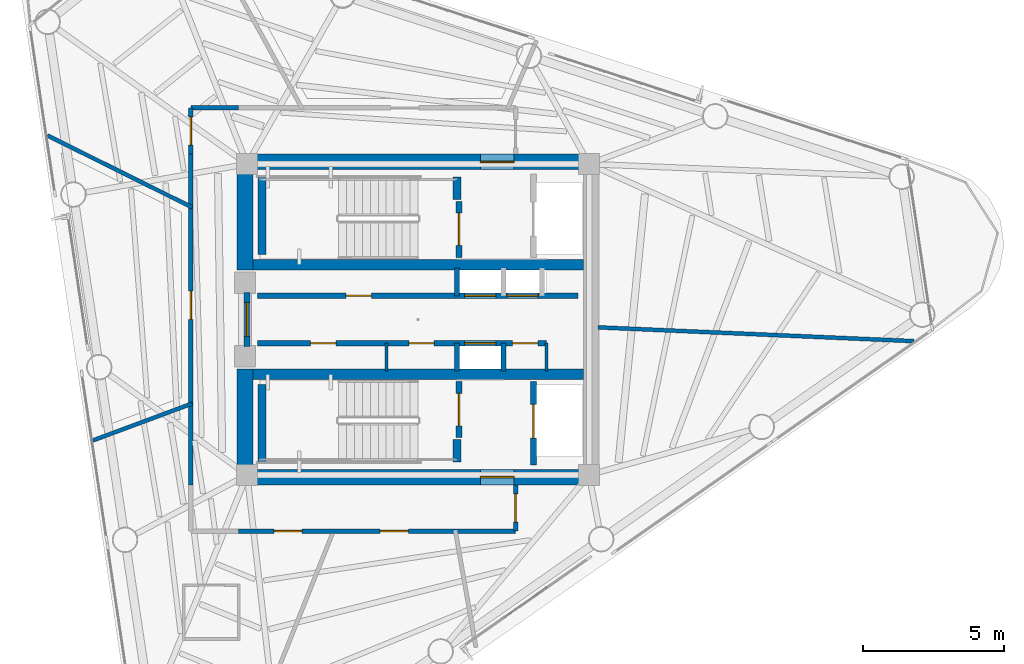
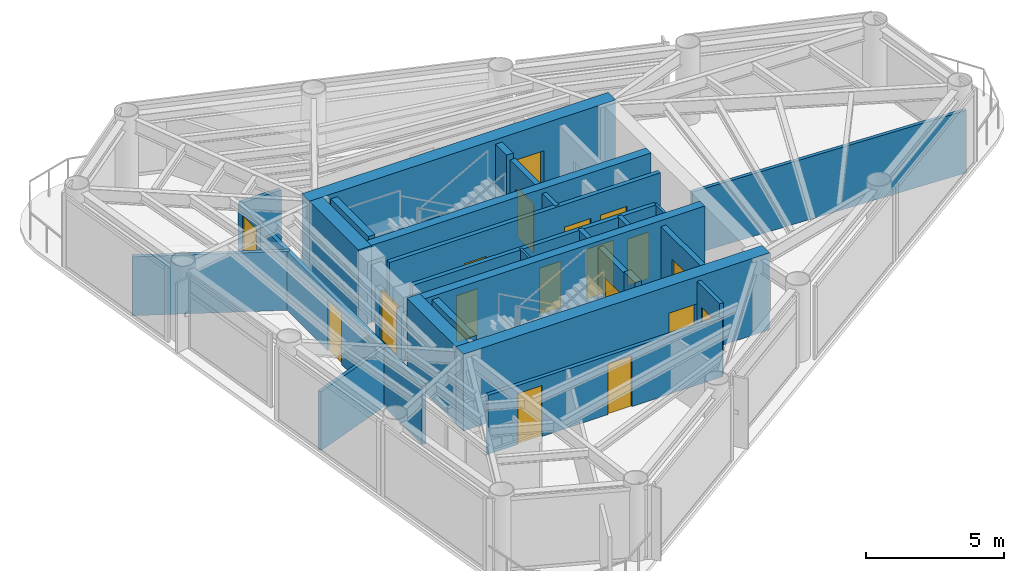
# One storey, part 5 of 9: 29 walls, 18 doors, 18 openings.
"""IFC4 building model written with IfcOpenShell, lengths in metres."""

from ifc_helpers import new_model, si_unit, direction, frame, frame_2d, origin, place, context, subcontext, project, spatial, rectangle, extrude, material, layer, layer_set, type_object, element, fill, save


model = new_model("IFC4")

# Units and contexts
model_context = context("Model", 3, precision=1e-05, world=origin(), true_north=direction((0.0, 1.0)))
body_context = subcontext(model_context, "Body", "Model", "MODEL_VIEW")
ifc_project = project(units=[si_unit("LENGTHUNIT", "METRE"), si_unit("AREAUNIT", "SQUARE_METRE"), si_unit("VOLUMEUNIT", "CUBIC_METRE"), si_unit("PLANEANGLEUNIT", "RADIAN"), si_unit("MASSUNIT", "GRAM", prefix="KILO")], contexts=[model_context])

# Site, building, storey
site_placement = place(None, origin())
site = spatial("IfcSite", under=ifc_project, at=site_placement, CompositionType="ELEMENT")
building_placement = place(site_placement, origin())
building = spatial("IfcBuilding", under=site, at=building_placement, Name="Yunling Apex Tower", CompositionType="ELEMENT")
storey_placement = place(building_placement, frame((0.0, 0.0, 267.75)))
storey = spatial("IfcBuildingStorey", under=building, at=storey_placement, Name="L65", CompositionType="ELEMENT", Elevation=267.75)

# Wall, opening, door
ifc_material_1 = material(Name="Concrete C40", Category="concrete")
ifc_layer_1 = layer(ifc_material_1, 0.550048828125)
ifc_layer_set_1 = layer_set([ifc_layer_1], Name="Concrete C40")
wall_type_1 = type_object("IfcWallType", Name="WL-COR-3", PredefinedType="SHEAR", material=ifc_layer_set_1)
wall_1_placement = place(storey_placement, frame((-6.39990234375, 5.574951171875, 0.0), z_axis=(0.0, 0.0, 1.0), x_axis=(1.0, 0.0, 0.0)))
wall_1 = element("IfcWall", 1, at=wall_1_placement, inside=storey, type_object=wall_type_1, Name="L65 North Core Shear Wall", PredefinedType="SHEAR", context=body_context, shape_type="SweptSolid", body=[
    extrude(rectangle(XDim=12.7998046875, YDim=0.550048828125, at=frame_2d((6.39990234375, 0.0))), origin(), (0.0, 0.0, 1.0), 3.39990234375),
])
opening_1_placement = place(wall_1_placement, frame((8.60009765625, 0.0, 0.0)))
opening_1 = element("IfcOpeningElement", 2, at=opening_1_placement, cuts=wall_1, Name="Opening DR-FFL-1", PredefinedType="OPENING", context=body_context, shape_type="SweptSolid", body=[
    extrude(rectangle(XDim=1.199951171875, YDim=2.199951171875, at=frame_2d((0.60009765625, 1.10009765625))), frame((0.0, 0.28515625, 0.0), z_axis=(0.0, -1.0, 0.0), x_axis=(1.0, 0.0, 0.0)), (0.0, 0.0, 1.0), 0.570068359375),
])
ifc_material_2 = material(Name="Steel Q355B", Category="steel")
door_type_1 = type_object("IfcDoorType", Name="DR-FFL-1", OperationType="NOTDEFINED", PredefinedType="DOOR", material=ifc_material_2)
door_1_placement = place(opening_1_placement, origin())
door_1 = element("IfcDoor", 3, at=door_1_placement, inside=storey, type_object=door_type_1, Name="L65 North Firefighting Lobby Door", OperationType="SINGLE_SWING_LEFT", OverallHeight=2.199951171875, OverallWidth=1.199951171875, PredefinedType="DOOR", context=body_context, shape_type="SweptSolid", body=[
    extrude(rectangle(XDim=1.199951171875, YDim=2.199951171875, at=frame_2d((0.60009765625, 1.10009765625))), frame((0.0, 0.02490234375, 0.0), z_axis=(0.0, -1.0, 0.0), x_axis=(1.0, 0.0, 0.0)), (0.0, 0.0, 1.0), 0.050048828125),
])
fill(opening_1, door_1)

wall_2_placement = place(storey_placement, frame((-6.39990234375, -5.574951171875, 0.0), z_axis=(0.0, 0.0, 1.0), x_axis=(1.0, 0.0, 0.0)))
wall_2 = element("IfcWall", 4, at=wall_2_placement, inside=storey, type_object=wall_type_1, Name="L65 South Core Shear Wall", PredefinedType="SHEAR", context=body_context, shape_type="SweptSolid", body=[
    extrude(rectangle(XDim=12.7998046875, YDim=0.550048828125, at=frame_2d((6.39990234375, 0.0))), origin(), (0.0, 0.0, 1.0), 3.39990234375),
])
opening_2_placement = place(wall_2_placement, frame((8.60009765625, 0.0, 0.0)))
opening_2 = element("IfcOpeningElement", 5, at=opening_2_placement, cuts=wall_2, Name="Opening DR-FFL-1", PredefinedType="OPENING", context=body_context, shape_type="SweptSolid", body=[
    extrude(rectangle(XDim=1.199951171875, YDim=2.199951171875, at=frame_2d((0.60009765625, 1.10009765625))), frame((0.0, 0.28515625, 0.0), z_axis=(0.0, -1.0, 0.0), x_axis=(1.0, 0.0, 0.0)), (0.0, 0.0, 1.0), 0.570068359375),
])
door_2_placement = place(opening_2_placement, origin())
door_2 = element("IfcDoor", 6, at=door_2_placement, inside=storey, type_object=door_type_1, Name="L65 South Firefighting Lobby Door", OperationType="SINGLE_SWING_RIGHT", OverallHeight=2.199951171875, OverallWidth=1.199951171875, PredefinedType="DOOR", context=body_context, shape_type="SweptSolid", body=[
    extrude(rectangle(XDim=1.199951171875, YDim=2.199951171875, at=frame_2d((0.60009765625, 1.10009765625))), frame((0.0, 0.02490234375, 0.0), z_axis=(0.0, -1.0, 0.0), x_axis=(1.0, 0.0, 0.0)), (0.0, 0.0, 1.0), 0.050048828125),
])
fill(opening_2, door_2)

# Walls
for number, where, z_axis, x_axis, name in (
    (7, (-6.125, -5.300048828125, 0.0), (0.0, 0.0, 1.0), (0.0, 1.0, 0.0), "L65 West-South Core Shear Wall"),
    (8, (-6.125, 1.75, 0.0), (0.0, 0.0, 1.0), (0.0, 1.0, 0.0), "L65 West-North Core Shear Wall"),
):
    element("IfcWall", number, at=place(storey_placement, frame(where, z_axis=z_axis, x_axis=x_axis)), inside=storey, type_object=wall_type_1, Name=name, PredefinedType="SHEAR", context=body_context, shape_type="SweptSolid", body=[
        extrude(rectangle(XDim=3.550048828125, YDim=0.550048828125, at=frame_2d((1.77490234375, 0.0))), origin(), (0.0, 0.0, 1.0), 3.39990234375),
    ])
ifc_layer_2 = layer(ifc_material_1, 0.360107421875)
ifc_layer_set_2 = layer_set([ifc_layer_2], Name="Concrete C40")
wall_type_2 = type_object("IfcWallType", Name="WL-COR-4", PredefinedType="SHEAR", material=ifc_layer_set_2)
for number, where, z_axis, x_axis, name in (
    (9, (-5.85009765625, 1.93994140625, 0.0), (0.0, 0.0, 1.0), (1.0, 0.0, 0.0), "L65 North Internal Core Shear Wall"),
    (10, (-5.85009765625, -1.93994140625, 0.0), (0.0, 0.0, 1.0), (1.0, 0.0, 0.0), "L65 South Internal Core Shear Wall"),
):
    element("IfcWall", number, at=place(storey_placement, frame(where, z_axis=z_axis, x_axis=x_axis)), inside=storey, type_object=wall_type_2, Name=name, PredefinedType="SHEAR", context=body_context, shape_type="SweptSolid", body=[
        extrude(rectangle(XDim=11.7001953125, YDim=0.360107421875, at=frame_2d((5.85009765625, 0.0))), origin(), (0.0, 0.0, 1.0), 3.39990234375),
    ])
ifc_layer_3 = layer(ifc_material_1, 0.280029296875)
ifc_layer_set_3 = layer_set([ifc_layer_3], Name="Concrete C40")
wall_type_3 = type_object("IfcWallType", Name="WL-COR-8", PredefinedType="SHEAR", material=ifc_layer_set_3)
wall_3_placement = place(storey_placement, frame((-5.52001953125, 2.300048828125, 0.0), z_axis=(0.0, 0.0, 1.0), x_axis=(0.0, 1.0, 0.0)))
element("IfcWall", 11, at=wall_3_placement, inside=storey, type_object=wall_type_3, Name="L65 ST-1 West Landing Bearing Wall", PredefinedType="SHEAR", context=body_context, shape_type="SweptSolid", body=[
    extrude(rectangle(XDim=2.75, YDim=0.280029296875, at=frame_2d((1.375, 0.0))), origin(), (0.0, 0.0, 1.0), 3.39990234375),
])
wall_4_placement = place(storey_placement, frame((1.3798828125, 4.25, 0.0), z_axis=(0.0, 0.0, 1.0), x_axis=(0.0, 1.0, 0.0)))
element("IfcWall", 12, at=wall_4_placement, inside=storey, type_object=wall_type_3, Name="L65 ST-1 East Landing Bearing Pier", PredefinedType="SHEAR", context=body_context, shape_type="SweptSolid", body=[
    extrude(rectangle(XDim=0.800048828125, YDim=0.280029296875, at=frame_2d((0.39990234375, 0.0))), origin(), (0.0, 0.0, 1.0), 3.39990234375),
])
wall_5_placement = place(storey_placement, frame((-5.52001953125, -5.050048828125, 0.0), z_axis=(0.0, 0.0, 1.0), x_axis=(0.0, 1.0, 0.0)))
element("IfcWall", 13, at=wall_5_placement, inside=storey, type_object=wall_type_3, Name="L65 ST-2 West Landing Bearing Wall", PredefinedType="SHEAR", context=body_context, shape_type="SweptSolid", body=[
    extrude(rectangle(XDim=2.75, YDim=0.280029296875, at=frame_2d((1.375, 0.0))), origin(), (0.0, 0.0, 1.0), 3.39990234375),
])
wall_6_placement = place(storey_placement, frame((1.3798828125, -5.050048828125, 0.0), z_axis=(0.0, 0.0, 1.0), x_axis=(0.0, 1.0, 0.0)))
element("IfcWall", 14, at=wall_6_placement, inside=storey, type_object=wall_type_3, Name="L65 ST-2 East Landing Bearing Pier", PredefinedType="SHEAR", context=body_context, shape_type="SweptSolid", body=[
    extrude(rectangle(XDim=0.800048828125, YDim=0.280029296875, at=frame_2d((0.39990234375, 0.0))), origin(), (0.0, 0.0, 1.0), 3.39990234375),
])

# Wall, opening, door
ifc_material_3 = material(Name="Gypsum board acoustic partition")
ifc_layer_4 = layer(ifc_material_3, 0.159912109375)
ifc_layer_set_4 = layer_set([ifc_layer_4], Name="Gypsum board acoustic partition")
wall_type_4 = type_object("IfcWallType", Name="WL-PRT-1", PredefinedType="PARTITIONING", material=ifc_layer_set_4)
wall_7_placement = place(storey_placement, frame((-8.0400390625, 5.85009765625, 0.0), z_axis=(0.0, 0.0, 1.0), x_axis=(0.0, 1.0, 0.0)))
wall_7 = element("IfcWall", 15, at=wall_7_placement, inside=storey, type_object=wall_type_4, Name="WL-CORR-L65-01", PredefinedType="PARTITIONING", context=body_context, shape_type="SweptSolid", body=[
    extrude(rectangle(XDim=1.639892578125, YDim=0.159912109375, at=frame_2d((0.81982421875, 0.0))), origin(), (0.0, 0.0, 1.0), 2.60498046875),
])
opening_3_placement = place(wall_7_placement, frame((0.320068359375, 0.0, 0.0)))
opening_3 = element("IfcOpeningElement", 16, at=opening_3_placement, cuts=wall_7, Name="Opening DR-OFF-1", PredefinedType="OPENING", context=body_context, shape_type="SweptSolid", body=[
    extrude(rectangle(XDim=1.0, YDim=2.25, at=frame_2d((0.5, 1.125))), frame((0.0, 0.08984375, 0.0), z_axis=(0.0, -1.0, 0.0), x_axis=(1.0, 0.0, 0.0)), (0.0, 0.0, 1.0), 0.179931640625),
])
ifc_material_4 = material(Name="Bronze anodised aluminium", Category="aluminium")
door_type_2 = type_object("IfcDoorType", Name="DR-OFF-1", OperationType="NOTDEFINED", PredefinedType="DOOR", material=ifc_material_4)
door_3_placement = place(opening_3_placement, origin())
door_3 = element("IfcDoor", 17, at=door_3_placement, inside=storey, type_object=door_type_2, Name="L65 Residents Music Salon Door", OperationType="SINGLE_SWING_RIGHT", OverallHeight=2.25, OverallWidth=1.0, PredefinedType="DOOR", context=body_context, shape_type="SweptSolid", body=[
    extrude(rectangle(XDim=1.0, YDim=2.25, at=frame_2d((0.5, 1.125))), frame((0.0, 0.02490234375, 0.0), z_axis=(0.0, -1.0, 0.0), x_axis=(1.0, 0.0, 0.0)), (0.0, 0.0, 1.0), 0.050048828125),
])
fill(opening_3, door_3)

# Wall
wall_8_placement = place(storey_placement, frame((-8.0400390625, 7.489990234375, 0.0), z_axis=(0.0, 0.0, 1.0), x_axis=(1.0, 0.0, 0.0)))
element("IfcWall", 18, at=wall_8_placement, inside=storey, type_object=wall_type_4, Name="WL-CORR-L65-02", PredefinedType="PARTITIONING", context=body_context, shape_type="SweptSolid", body=[
    extrude(rectangle(XDim=1.679931640625, YDim=0.159912109375, at=frame_2d((0.83984375, 0.0))), origin(), (0.0, 0.0, 1.0), 2.60498046875),
])

# Wall, opening, door
wall_9_placement = place(storey_placement, frame((3.449951171875, -5.85009765625, 0.0), z_axis=(0.0, 0.0, 1.0), x_axis=(0.0, -1.0, 0.0)))
wall_9 = element("IfcWall", 19, at=wall_9_placement, inside=storey, type_object=wall_type_4, Name="WL-CORR-L65-05", PredefinedType="PARTITIONING", context=body_context, shape_type="SweptSolid", body=[
    extrude(rectangle(XDim=1.639892578125, YDim=0.159912109375, at=frame_2d((0.81982421875, 0.0))), origin(), (0.0, 0.0, 1.0), 3.199951171875),
])
opening_4_placement = place(wall_9_placement, frame((0.320068359375, 0.0, 0.0)))
opening_4 = element("IfcOpeningElement", 20, at=opening_4_placement, cuts=wall_9, Name="Opening DR-OFF-1", PredefinedType="OPENING", context=body_context, shape_type="SweptSolid", body=[
    extrude(rectangle(XDim=1.0, YDim=2.25, at=frame_2d((0.5, 1.125))), frame((0.0, 0.08984375, 0.0), z_axis=(0.0, -1.0, 0.0), x_axis=(1.0, 0.0, 0.0)), (0.0, 0.0, 1.0), 0.179931640625),
])
door_4_placement = place(opening_4_placement, origin())
door_4 = element("IfcDoor", 21, at=door_4_placement, inside=storey, type_object=door_type_2, Name="L65 Residents Cinema Club Door", OperationType="SINGLE_SWING_LEFT", OverallHeight=2.25, OverallWidth=1.0, PredefinedType="DOOR", context=body_context, shape_type="SweptSolid", body=[
    extrude(rectangle(XDim=1.0, YDim=2.25, at=frame_2d((0.5, 1.125))), frame((0.0, 0.02490234375, 0.0), z_axis=(0.0, -1.0, 0.0), x_axis=(1.0, 0.0, 0.0)), (0.0, 0.0, 1.0), 0.050048828125),
])
fill(opening_4, door_4)

# Wall, openings, doors
wall_10_placement = place(storey_placement, frame((3.449951171875, -7.489990234375, 0.0), z_axis=(0.0, 0.0, 1.0), x_axis=(-1.0, 0.0, 0.0)))
wall_10 = element("IfcWall", 22, at=wall_10_placement, inside=storey, type_object=wall_type_4, Name="WL-CORR-L65-06", PredefinedType="PARTITIONING", context=body_context, shape_type="SweptSolid", body=[
    extrude(rectangle(XDim=9.81005859375, YDim=0.159912109375, at=frame_2d((4.905029296875, 0.0))), origin(), (0.0, 0.0, 1.0), 2.60498046875),
])
opening_5_placement = place(wall_10_placement, frame((3.794677734375, 0.0, 0.0)))
opening_5 = element("IfcOpeningElement", 23, at=opening_5_placement, cuts=wall_10, Name="Opening DR-OFF-1", PredefinedType="OPENING", context=body_context, shape_type="SweptSolid", body=[
    extrude(rectangle(XDim=1.0, YDim=2.25, at=frame_2d((0.5, 1.125))), frame((0.0, 0.08984375, 0.0), z_axis=(0.0, -1.0, 0.0), x_axis=(1.0, 0.0, 0.0)), (0.0, 0.0, 1.0), 0.179931640625),
])
opening_6_placement = place(wall_10_placement, frame((7.552978515625, 0.0, 0.0)))
opening_6 = element("IfcOpeningElement", 24, at=opening_6_placement, cuts=wall_10, Name="Opening DR-OFF-1", PredefinedType="OPENING", context=body_context, shape_type="SweptSolid", body=[
    extrude(rectangle(XDim=1.0, YDim=2.25, at=frame_2d((0.5, 1.125))), frame((0.0, 0.08984375, 0.0), z_axis=(0.0, -1.0, 0.0), x_axis=(1.0, 0.0, 0.0)), (0.0, 0.0, 1.0), 0.179931640625),
])
door_5_placement = place(opening_5_placement, origin())
door_5 = element("IfcDoor", 25, at=door_5_placement, inside=storey, type_object=door_type_2, Name="L65 Residents Music Salon Door", OperationType="SINGLE_SWING_RIGHT", OverallHeight=2.25, OverallWidth=1.0, PredefinedType="DOOR", context=body_context, shape_type="SweptSolid", body=[
    extrude(rectangle(XDim=1.0, YDim=2.25, at=frame_2d((0.5, 1.125))), frame((0.0, 0.02490234375, 0.0), z_axis=(0.0, -1.0, 0.0), x_axis=(1.0, 0.0, 0.0)), (0.0, 0.0, 1.0), 0.050048828125),
])
fill(opening_5, door_5)
door_6_placement = place(opening_6_placement, origin())
door_6 = element("IfcDoor", 26, at=door_6_placement, inside=storey, type_object=door_type_2, Name="L65 Residents Cinema Club Door", OperationType="SINGLE_SWING_LEFT", OverallHeight=2.25, OverallWidth=1.0, PredefinedType="DOOR", context=body_context, shape_type="SweptSolid", body=[
    extrude(rectangle(XDim=1.0, YDim=2.25, at=frame_2d((0.5, 1.125))), frame((0.0, 0.02490234375, 0.0), z_axis=(0.0, -1.0, 0.0), x_axis=(1.0, 0.0, 0.0)), (0.0, 0.0, 1.0), 0.050048828125),
])
fill(opening_6, door_6)

# Wall, opening, door
wall_11_placement = place(storey_placement, frame((-8.0400390625, -5.85009765625, 0.0), z_axis=(0.0, 0.0, 1.0), x_axis=(0.0, 1.0, 0.0)))
wall_11 = element("IfcWall", 27, at=wall_11_placement, inside=storey, type_object=wall_type_4, Name="WL-CORR-L65-09", PredefinedType="PARTITIONING", context=body_context, shape_type="SweptSolid", body=[
    extrude(rectangle(XDim=11.7001953125, YDim=0.159912109375, at=frame_2d((5.85009765625, 0.0))), origin(), (0.0, 0.0, 1.0), 2.60498046875),
])
opening_7_placement = place(wall_11_placement, frame((5.85546875, 0.0, 0.0)))
opening_7 = element("IfcOpeningElement", 28, at=opening_7_placement, cuts=wall_11, Name="Opening DR-OFF-1", PredefinedType="OPENING", context=body_context, shape_type="SweptSolid", body=[
    extrude(rectangle(XDim=1.0, YDim=2.25, at=frame_2d((0.5, 1.125))), frame((0.0, 0.08984375, 0.0), z_axis=(0.0, -1.0, 0.0), x_axis=(1.0, 0.0, 0.0)), (0.0, 0.0, 1.0), 0.179931640625),
])
door_7_placement = place(opening_7_placement, origin())
door_7 = element("IfcDoor", 29, at=door_7_placement, inside=storey, type_object=door_type_2, Name="L65 Residents Cinema Club Door", OperationType="SINGLE_SWING_RIGHT", OverallHeight=2.25, OverallWidth=1.0, PredefinedType="DOOR", context=body_context, shape_type="SweptSolid", body=[
    extrude(rectangle(XDim=1.0, YDim=2.25, at=frame_2d((0.5, 1.125))), frame((0.0, 0.02490234375, 0.0), z_axis=(0.0, -1.0, 0.0), x_axis=(1.0, 0.0, 0.0)), (0.0, 0.0, 1.0), 0.050048828125),
])
fill(opening_7, door_7)

# Walls
ifc_layer_5 = layer(ifc_material_3, 0.139892578125)
ifc_layer_set_5 = layer_set([ifc_layer_5], Name="Gypsum board acoustic partition")
wall_type_5 = type_object("IfcWallType", Name="WL-PRT-2", PredefinedType="PARTITIONING", material=ifc_layer_set_5)
wall_12_placement = place(storey_placement, frame((6.360107421875, -0.277587890625, 0.0), z_axis=(0.0, 0.0, 1.0), x_axis=(0.999047788643, -0.043629302162, 0.0)))
element("IfcWall", 30, at=wall_12_placement, inside=storey, type_object=wall_type_5, Name="WL-RAD-L65-01", PredefinedType="PARTITIONING", context=body_context, shape_type="SweptSolid", body=[
    extrude(rectangle(XDim=11.197265625, YDim=0.139892578125, at=frame_2d((5.5986328125, 0.0))), origin(), (0.0, 0.0, 1.0), 2.764892578125),
])
wall_13_placement = place(storey_placement, frame((-8.0, 3.97119140625, 0.0), z_axis=(0.0, 0.0, 1.0), x_axis=(-0.895714476241, 0.444629707793, 0.0)))
element("IfcWall", 31, at=wall_13_placement, inside=storey, type_object=wall_type_5, Name="WL-RAD-L65-04", PredefinedType="PARTITIONING", context=body_context, shape_type="SweptSolid", body=[
    extrude(rectangle(XDim=5.7109375, YDim=0.139892578125, at=frame_2d((2.85546875, 0.0))), origin(), (0.0, 0.0, 1.0), 2.60498046875),
])
wall_14_placement = place(storey_placement, frame((-8.0, -2.97509765625, 0.0), z_axis=(0.0, 0.0, 1.0), x_axis=(-0.937281421119, -0.348573575627, 0.0)))
element("IfcWall", 32, at=wall_14_placement, inside=storey, type_object=wall_type_5, Name="WL-RAD-L65-05", PredefinedType="PARTITIONING", context=body_context, shape_type="SweptSolid", body=[
    extrude(rectangle(XDim=3.7373046875, YDim=0.139892578125, at=frame_2d((1.86865234375, 0.0))), origin(), (0.0, 0.0, 1.0), 2.60498046875),
])
ifc_layer_6 = layer(ifc_material_3, 0.10009765625)
ifc_layer_set_6 = layer_set([ifc_layer_6], Name="Gypsum board acoustic partition")
wall_type_6 = type_object("IfcWallType", Name="WL-PRT-4", PredefinedType="PARTITIONING", material=ifc_layer_set_6)
for number, where, z_axis, x_axis, name in (
    (33, (-1.1201171875, -1.820068359375, 0.0), (0.0, 0.0, 1.0), (0.0, 1.0, 0.0), "WL-RECLMA-S-L65"),
    (34, (4.5400390625, -1.820068359375, 0.0), (0.0, 0.0, 1.0), (0.0, 1.0, 0.0), "WL-KASE-E-L65"),
):
    element("IfcWall", number, at=place(storey_placement, frame(where, z_axis=z_axis, x_axis=x_axis)), inside=storey, type_object=wall_type_6, Name=name, PredefinedType="PARTITIONING", context=body_context, shape_type="SweptSolid", body=[
        extrude(rectangle(XDim=0.97998046875, YDim=0.10009765625, at=frame_2d((0.489990234375, 0.0))), origin(), (0.0, 0.0, 1.0), 3.199951171875),
    ])

# Wall, opening, door
ifc_material_5 = material(Name="Autoclaved aerated concrete masonry", Category="masonry")
ifc_layer_7 = layer(ifc_material_5, 0.219970703125)
ifc_layer_set_7 = layer_set([ifc_layer_7], Name="Autoclaved aerated concrete masonry")
wall_type_7 = type_object("IfcWallType", Name="WL-SHF-1", PredefinedType="PLUMBINGWALL", material=ifc_layer_set_7)
wall_15_placement = place(storey_placement, frame((-6.050048828125, -0.949951171875, 0.0), z_axis=(0.0, 0.0, 1.0), x_axis=(0.0, 1.0, 0.0)))
wall_15 = element("IfcWall", 35, at=wall_15_placement, inside=storey, type_object=wall_type_7, Name="WL-COR-WPORT-L65", PredefinedType="PLUMBINGWALL", context=body_context, shape_type="SweptSolid", body=[
    extrude(rectangle(XDim=1.89990234375, YDim=0.219970703125, at=frame_2d((0.949951171875, 0.0))), origin(), (0.0, 0.0, 1.0), 2.179931640625),
])
opening_8_placement = place(wall_15_placement, frame((0.35009765625, 0.0, 0.0)))
opening_8 = element("IfcOpeningElement", 36, at=opening_8_placement, cuts=wall_15, Name="Opening DR-FFL-1", PredefinedType="OPENING", context=body_context, shape_type="SweptSolid", body=[
    extrude(rectangle(XDim=1.199951171875, YDim=2.199951171875, at=frame_2d((0.60009765625, 1.10009765625))), frame((0.0, 0.1201171875, 0.0), z_axis=(0.0, -1.0, 0.0), x_axis=(1.0, 0.0, 0.0)), (0.0, 0.0, 1.0), 0.239990234375),
])
door_8_placement = place(opening_8_placement, origin())
door_8 = element("IfcDoor", 37, at=door_8_placement, inside=storey, type_object=door_type_1, Name="L65 Passenger Lift Lobby Entrance Door", OperationType="SINGLE_SWING_RIGHT", OverallHeight=2.199951171875, OverallWidth=1.199951171875, PredefinedType="DOOR", context=body_context, shape_type="SweptSolid", body=[
    extrude(rectangle(XDim=1.199951171875, YDim=2.199951171875, at=frame_2d((0.60009765625, 1.10009765625))), frame((0.0, 0.02490234375, 0.0), z_axis=(0.0, -1.0, 0.0), x_axis=(1.0, 0.0, 0.0)), (0.0, 0.0, 1.0), 0.050048828125),
])
fill(opening_8, door_8)

wall_16_placement = place(storey_placement, frame((1.449951171875, 2.199951171875, 0.0), z_axis=(0.0, 0.0, 1.0), x_axis=(0.0, 1.0, 0.0)))
wall_16 = element("IfcWall", 38, at=wall_16_placement, inside=storey, type_object=wall_type_7, Name="WL-ST1-E-L65", PredefinedType="PLUMBINGWALL", context=body_context, shape_type="SweptSolid", body=[
    extrude(rectangle(XDim=1.97998046875, YDim=0.219970703125, at=frame_2d((0.989990234375, 0.0))), origin(), (0.0, 0.0, 1.0), 3.199951171875),
])
opening_9_placement = place(wall_16_placement, frame((0.419921875, 0.0, 0.0)))
opening_9 = element("IfcOpeningElement", 39, at=opening_9_placement, cuts=wall_16, Name="Opening DR-ST-1", PredefinedType="OPENING", context=body_context, shape_type="SweptSolid", body=[
    extrude(rectangle(XDim=1.14990234375, YDim=2.14990234375, at=frame_2d((0.574951171875, 1.074951171875))), frame((0.0, 0.1201171875, 0.0), z_axis=(0.0, -1.0, 0.0), x_axis=(1.0, 0.0, 0.0)), (0.0, 0.0, 1.0), 0.239990234375),
])
door_type_3 = type_object("IfcDoorType", Name="DR-ST-1", OperationType="NOTDEFINED", PredefinedType="DOOR", material=ifc_material_2)
door_9_placement = place(opening_9_placement, origin())
door_9 = element("IfcDoor", 40, at=door_9_placement, inside=storey, type_object=door_type_3, Name="L65 Stair ST-1 Fire Door", OperationType="SINGLE_SWING_LEFT", OverallHeight=2.14990234375, OverallWidth=1.14990234375, PredefinedType="DOOR", context=body_context, shape_type="SweptSolid", body=[
    extrude(rectangle(XDim=1.14990234375, YDim=2.14990234375, at=frame_2d((0.574951171875, 1.074951171875))), frame((0.0, 0.02490234375, 0.0), z_axis=(0.0, -1.0, 0.0), x_axis=(1.0, 0.0, 0.0)), (0.0, 0.0, 1.0), 0.050048828125),
])
fill(opening_9, door_9)

wall_17_placement = place(storey_placement, frame((1.449951171875, -4.179931640625, 0.0), z_axis=(0.0, 0.0, 1.0), x_axis=(0.0, 1.0, 0.0)))
wall_17 = element("IfcWall", 41, at=wall_17_placement, inside=storey, type_object=wall_type_7, Name="WL-ST2-E-L65", PredefinedType="PLUMBINGWALL", context=body_context, shape_type="SweptSolid", body=[
    extrude(rectangle(XDim=1.97998046875, YDim=0.219970703125, at=frame_2d((0.989990234375, 0.0))), origin(), (0.0, 0.0, 1.0), 3.199951171875),
])
opening_10_placement = place(wall_17_placement, frame((0.419921875, 0.0, 0.0)))
opening_10 = element("IfcOpeningElement", 42, at=opening_10_placement, cuts=wall_17, Name="Opening DR-ST-1", PredefinedType="OPENING", context=body_context, shape_type="SweptSolid", body=[
    extrude(rectangle(XDim=1.14990234375, YDim=2.14990234375, at=frame_2d((0.574951171875, 1.074951171875))), frame((0.0, 0.1201171875, 0.0), z_axis=(0.0, -1.0, 0.0), x_axis=(1.0, 0.0, 0.0)), (0.0, 0.0, 1.0), 0.239990234375),
])
door_10_placement = place(opening_10_placement, origin())
door_10 = element("IfcDoor", 43, at=door_10_placement, inside=storey, type_object=door_type_3, Name="L65 Stair ST-2 Fire Door", OperationType="SINGLE_SWING_RIGHT", OverallHeight=2.14990234375, OverallWidth=1.14990234375, PredefinedType="DOOR", context=body_context, shape_type="SweptSolid", body=[
    extrude(rectangle(XDim=1.14990234375, YDim=2.14990234375, at=frame_2d((0.574951171875, 1.074951171875))), frame((0.0, 0.02490234375, 0.0), z_axis=(0.0, -1.0, 0.0), x_axis=(1.0, 0.0, 0.0)), (0.0, 0.0, 1.0), 0.050048828125),
])
fill(opening_10, door_10)

wall_18_placement = place(storey_placement, frame((4.080078125, -5.14990234375, 0.0), z_axis=(0.0, 0.0, 1.0), x_axis=(0.0, 1.0, 0.0)))
wall_18 = element("IfcWall", 44, at=wall_18_placement, inside=storey, type_object=wall_type_7, Name="WL-FFL2-W-L65", PredefinedType="PLUMBINGWALL", context=body_context, shape_type="SweptSolid", body=[
    extrude(rectangle(XDim=2.949951171875, YDim=0.219970703125, at=frame_2d((1.47509765625, 0.0))), origin(), (0.0, 0.0, 1.0), 3.199951171875),
])
opening_11_placement = place(wall_18_placement, frame((0.949951171875, 0.0, 0.0)))
opening_11 = element("IfcOpeningElement", 45, at=opening_11_placement, cuts=wall_18, Name="Opening LD-FFL-1", PredefinedType="OPENING", context=body_context, shape_type="SweptSolid", body=[
    extrude(rectangle(XDim=1.199951171875, YDim=2.25, at=frame_2d((0.60009765625, 1.125))), frame((0.0, 0.1201171875, 0.0), z_axis=(0.0, -1.0, 0.0), x_axis=(1.0, 0.0, 0.0)), (0.0, 0.0, 1.0), 0.239990234375),
])
door_type_4 = type_object("IfcDoorType", Name="LD-FFL-1", OperationType="DOUBLE_DOOR_SLIDING", PredefinedType="DOOR", material=ifc_material_2)
door_11_placement = place(opening_11_placement, origin())
door_11 = element("IfcDoor", 46, at=door_11_placement, inside=storey, type_object=door_type_4, Name="L65 Lift FFL-2 Landing Door", OperationType="DOUBLE_DOOR_SLIDING", OverallHeight=2.25, OverallWidth=1.199951171875, PredefinedType="DOOR", context=body_context, shape_type="SweptSolid", body=[
    extrude(rectangle(XDim=1.199951171875, YDim=2.25, at=frame_2d((0.60009765625, 1.125))), frame((0.0, 0.02490234375, 0.0), z_axis=(0.0, -1.0, 0.0), x_axis=(1.0, 0.0, 0.0)), (0.0, 0.0, 1.0), 0.050048828125),
])
fill(opening_11, door_11)

# Walls
ifc_layer_8 = layer(ifc_material_5, 0.179931640625)
ifc_layer_set_8 = layer_set([ifc_layer_8], Name="Autoclaved aerated concrete masonry")
wall_type_8 = type_object("IfcWallType", Name="WL-SHF-2", PredefinedType="PLUMBINGWALL", material=ifc_layer_set_8)
for number, where, z_axis, x_axis, name in (
    (47, (1.3798828125, 0.840087890625, 0.0), (0.0, 0.0, 1.0), (0.0, 1.0, 0.0), "WL-BNK-MH-N-L65"),
    (48, (1.3798828125, -1.820068359375, 0.0), (0.0, 0.0, 1.0), (0.0, 1.0, 0.0), "WL-BNK-MH-S-L65"),
    (49, (3.02001953125, -1.820068359375, 0.0), (0.0, 0.0, 1.0), (0.0, 1.0, 0.0), "WL-END-H2E-L65"),
):
    element("IfcWall", number, at=place(storey_placement, frame(where, z_axis=z_axis, x_axis=x_axis)), inside=storey, type_object=wall_type_8, Name=name, PredefinedType="PLUMBINGWALL", context=body_context, shape_type="SweptSolid", body=[
        extrude(rectangle(XDim=0.97998046875, YDim=0.179931640625, at=frame_2d((0.489990234375, 0.0))), origin(), (0.0, 0.0, 1.0), 3.199951171875),
    ])

# Wall, openings, doors
wall_19_placement = place(storey_placement, frame((-5.679931640625, 0.840087890625, 0.0), z_axis=(0.0, 0.0, 1.0), x_axis=(1.0, 0.0, 0.0)))
wall_19 = element("IfcWall", 50, at=wall_19_placement, inside=storey, type_object=wall_type_8, Name="WL-LOB-N-L65", PredefinedType="PLUMBINGWALL", context=body_context, shape_type="SweptSolid", body=[
    extrude(rectangle(XDim=11.329833984375, YDim=0.179931640625, at=frame_2d((5.6650390625, 0.0))), origin(), (0.0, 0.0, 1.0), 3.199951171875),
])
opening_12_placement = place(wall_19_placement, frame((3.1298828125, 0.0, 0.0)))
opening_12 = element("IfcOpeningElement", 51, at=opening_12_placement, cuts=wall_19, Name="Opening DR-SHF-1", PredefinedType="OPENING", context=body_context, shape_type="SweptSolid", body=[
    extrude(rectangle(XDim=0.89990234375, YDim=2.050048828125, at=frame_2d((0.449951171875, 1.02490234375))), frame((0.0, 0.10009765625, 0.0), z_axis=(0.0, -1.0, 0.0), x_axis=(1.0, 0.0, 0.0)), (0.0, 0.0, 1.0), 0.199951171875),
])
opening_13_placement = place(wall_19_placement, frame((7.330078125, 0.0, 0.0)))
opening_13 = element("IfcOpeningElement", 52, at=opening_13_placement, cuts=wall_19, Name="Opening LD-PAS-1", PredefinedType="OPENING", context=body_context, shape_type="SweptSolid", body=[
    extrude(rectangle(XDim=1.10009765625, YDim=2.199951171875, at=frame_2d((0.550048828125, 1.10009765625))), frame((0.0, 0.10009765625, 0.0), z_axis=(0.0, -1.0, 0.0), x_axis=(1.0, 0.0, 0.0)), (0.0, 0.0, 1.0), 0.199951171875),
])
opening_14_placement = place(wall_19_placement, frame((8.830078125, 0.0, 0.0)))
opening_14 = element("IfcOpeningElement", 53, at=opening_14_placement, cuts=wall_19, Name="Opening LD-PAS-1", PredefinedType="OPENING", context=body_context, shape_type="SweptSolid", body=[
    extrude(rectangle(XDim=1.10009765625, YDim=2.199951171875, at=frame_2d((0.550048828125, 1.10009765625))), frame((0.0, 0.10009765625, 0.0), z_axis=(0.0, -1.0, 0.0), x_axis=(1.0, 0.0, 0.0)), (0.0, 0.0, 1.0), 0.199951171875),
])
door_type_5 = type_object("IfcDoorType", Name="DR-SHF-1", OperationType="NOTDEFINED", PredefinedType="DOOR", material=ifc_material_2)
door_12_placement = place(opening_12_placement, origin())
door_12 = element("IfcDoor", 54, at=door_12_placement, inside=storey, type_object=door_type_5, Name="L65 Archive Store Door", OperationType="SINGLE_SWING_LEFT", OverallHeight=2.050048828125, OverallWidth=0.89990234375, PredefinedType="DOOR", context=body_context, shape_type="SweptSolid", body=[
    extrude(rectangle(XDim=0.89990234375, YDim=2.050048828125, at=frame_2d((0.449951171875, 1.02490234375))), frame((0.0, 0.02490234375, 0.0), z_axis=(0.0, -1.0, 0.0), x_axis=(1.0, 0.0, 0.0)), (0.0, 0.0, 1.0), 0.050048828125),
])
fill(opening_12, door_12)
ifc_material_6 = material(Name="Silver anodised aluminium", Category="aluminium")
door_type_6 = type_object("IfcDoorType", Name="LD-PAS-1", OperationType="DOUBLE_DOOR_SLIDING", PredefinedType="DOOR", material=ifc_material_6)
door_13_placement = place(opening_13_placement, origin())
door_13 = element("IfcDoor", 55, at=door_13_placement, inside=storey, type_object=door_type_6, Name="L65 Lift PL-H1 Landing Door", OperationType="DOUBLE_DOOR_SLIDING", OverallHeight=2.199951171875, OverallWidth=1.10009765625, PredefinedType="DOOR", context=body_context, shape_type="SweptSolid", body=[
    extrude(rectangle(XDim=1.10009765625, YDim=2.199951171875, at=frame_2d((0.550048828125, 1.10009765625))), frame((0.0, 0.02490234375, 0.0), z_axis=(0.0, -1.0, 0.0), x_axis=(1.0, 0.0, 0.0)), (0.0, 0.0, 1.0), 0.050048828125),
])
fill(opening_13, door_13)
door_14_placement = place(opening_14_placement, origin())
door_14 = element("IfcDoor", 56, at=door_14_placement, inside=storey, type_object=door_type_6, Name="L65 Lift PL-H3 Landing Door", OperationType="DOUBLE_DOOR_SLIDING", OverallHeight=2.199951171875, OverallWidth=1.10009765625, PredefinedType="DOOR", context=body_context, shape_type="SweptSolid", body=[
    extrude(rectangle(XDim=1.10009765625, YDim=2.199951171875, at=frame_2d((0.550048828125, 1.10009765625))), frame((0.0, 0.02490234375, 0.0), z_axis=(0.0, -1.0, 0.0), x_axis=(1.0, 0.0, 0.0)), (0.0, 0.0, 1.0), 0.050048828125),
])
fill(opening_14, door_14)

wall_20_placement = place(storey_placement, frame((-5.679931640625, -0.840087890625, 0.0), z_axis=(0.0, 0.0, 1.0), x_axis=(1.0, 0.0, 0.0)))
wall_20 = element("IfcWall", 57, at=wall_20_placement, inside=storey, type_object=wall_type_8, Name="WL-LOB-S-L65", PredefinedType="PLUMBINGWALL", context=body_context, shape_type="SweptSolid", body=[
    extrude(rectangle(XDim=10.219970703125, YDim=0.179931640625, at=frame_2d((5.10986328125, 0.0))), origin(), (0.0, 0.0, 1.0), 3.199951171875),
])
opening_15_placement = place(wall_20_placement, frame((1.8798828125, 0.0, 0.0)))
opening_15 = element("IfcOpeningElement", 58, at=opening_15_placement, cuts=wall_20, Name="Opening DR-SHF-1", PredefinedType="OPENING", context=body_context, shape_type="SweptSolid", body=[
    extrude(rectangle(XDim=0.89990234375, YDim=2.050048828125, at=frame_2d((0.449951171875, 1.02490234375))), frame((0.0, 0.10009765625, 0.0), z_axis=(0.0, -1.0, 0.0), x_axis=(1.0, 0.0, 0.0)), (0.0, 0.0, 1.0), 0.199951171875),
])
opening_16_placement = place(wall_20_placement, frame((5.35009765625, 0.0, 0.0)))
opening_16 = element("IfcOpeningElement", 59, at=opening_16_placement, cuts=wall_20, Name="Opening DR-SHF-1", PredefinedType="OPENING", context=body_context, shape_type="SweptSolid", body=[
    extrude(rectangle(XDim=0.89990234375, YDim=2.050048828125, at=frame_2d((0.449951171875, 1.02490234375))), frame((0.0, 0.10009765625, 0.0), z_axis=(0.0, -1.0, 0.0), x_axis=(1.0, 0.0, 0.0)), (0.0, 0.0, 1.0), 0.199951171875),
])
opening_17_placement = place(wall_20_placement, frame((7.330078125, 0.0, 0.0)))
opening_17 = element("IfcOpeningElement", 60, at=opening_17_placement, cuts=wall_20, Name="Opening LD-PAS-1", PredefinedType="OPENING", context=body_context, shape_type="SweptSolid", body=[
    extrude(rectangle(XDim=1.10009765625, YDim=2.199951171875, at=frame_2d((0.550048828125, 1.10009765625))), frame((0.0, 0.10009765625, 0.0), z_axis=(0.0, -1.0, 0.0), x_axis=(1.0, 0.0, 0.0)), (0.0, 0.0, 1.0), 0.199951171875),
])
opening_18_placement = place(wall_20_placement, frame((9.02001953125, 0.0, 0.0)))
opening_18 = element("IfcOpeningElement", 61, at=opening_18_placement, cuts=wall_20, Name="Opening DR-SHF-1", PredefinedType="OPENING", context=body_context, shape_type="SweptSolid", body=[
    extrude(rectangle(XDim=0.89990234375, YDim=2.050048828125, at=frame_2d((0.449951171875, 1.02490234375))), frame((0.0, 0.10009765625, 0.0), z_axis=(0.0, -1.0, 0.0), x_axis=(1.0, 0.0, 0.0)), (0.0, 0.0, 1.0), 0.199951171875),
])
door_15_placement = place(opening_15_placement, origin())
door_15 = element("IfcDoor", 62, at=door_15_placement, inside=storey, type_object=door_type_5, Name="L65 MEP Plant Door", OperationType="SINGLE_SWING_RIGHT", OverallHeight=2.050048828125, OverallWidth=0.89990234375, PredefinedType="DOOR", context=body_context, shape_type="SweptSolid", body=[
    extrude(rectangle(XDim=0.89990234375, YDim=2.050048828125, at=frame_2d((0.449951171875, 1.02490234375))), frame((0.0, 0.02490234375, 0.0), z_axis=(0.0, -1.0, 0.0), x_axis=(1.0, 0.0, 0.0)), (0.0, 0.0, 1.0), 0.050048828125),
])
fill(opening_15, door_15)
door_16_placement = place(opening_16_placement, origin())
door_16 = element("IfcDoor", 63, at=door_16_placement, inside=storey, type_object=door_type_5, Name="L65 Cleaners Store Door", OperationType="SINGLE_SWING_LEFT", OverallHeight=2.050048828125, OverallWidth=0.89990234375, PredefinedType="DOOR", context=body_context, shape_type="SweptSolid", body=[
    extrude(rectangle(XDim=0.89990234375, YDim=2.050048828125, at=frame_2d((0.449951171875, 1.02490234375))), frame((0.0, 0.02490234375, 0.0), z_axis=(0.0, -1.0, 0.0), x_axis=(1.0, 0.0, 0.0)), (0.0, 0.0, 1.0), 0.050048828125),
])
fill(opening_16, door_16)
door_17_placement = place(opening_18_placement, origin())
door_17 = element("IfcDoor", 64, at=door_17_placement, inside=storey, type_object=door_type_5, Name="L65 Core Electrical Room Door", OperationType="SINGLE_SWING_RIGHT", OverallHeight=2.050048828125, OverallWidth=0.89990234375, PredefinedType="DOOR", context=body_context, shape_type="SweptSolid", body=[
    extrude(rectangle(XDim=0.89990234375, YDim=2.050048828125, at=frame_2d((0.449951171875, 1.02490234375))), frame((0.0, 0.02490234375, 0.0), z_axis=(0.0, -1.0, 0.0), x_axis=(1.0, 0.0, 0.0)), (0.0, 0.0, 1.0), 0.050048828125),
])
fill(opening_18, door_17)
door_18_placement = place(opening_17_placement, origin())
door_18 = element("IfcDoor", 65, at=door_18_placement, inside=storey, type_object=door_type_6, Name="L65 Lift PL-H2 Landing Door", OperationType="DOUBLE_DOOR_SLIDING", OverallHeight=2.199951171875, OverallWidth=1.10009765625, PredefinedType="DOOR", context=body_context, shape_type="SweptSolid", body=[
    extrude(rectangle(XDim=1.10009765625, YDim=2.199951171875, at=frame_2d((0.550048828125, 1.10009765625))), frame((0.0, 0.02490234375, 0.0), z_axis=(0.0, -1.0, 0.0), x_axis=(1.0, 0.0, 0.0)), (0.0, 0.0, 1.0), 0.050048828125),
])
fill(opening_17, door_18)

save(model, "model.ifc")
